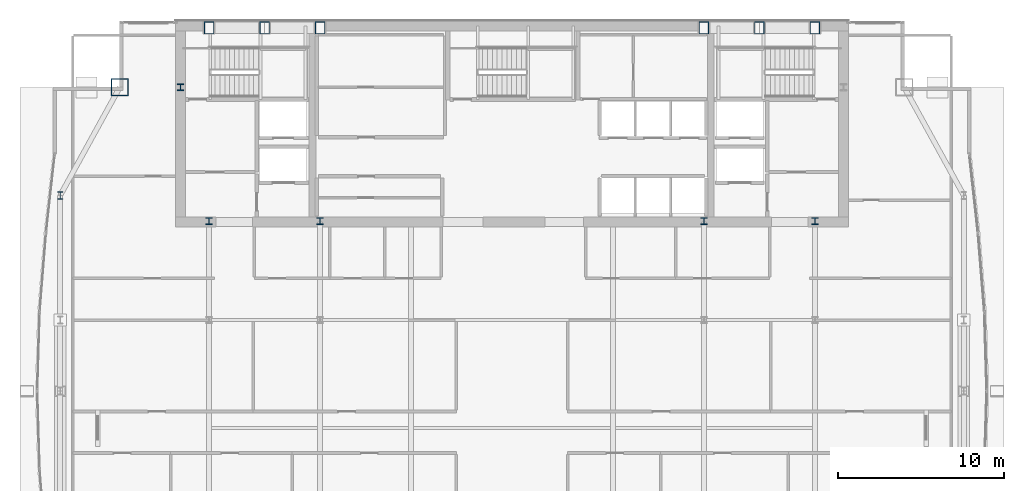
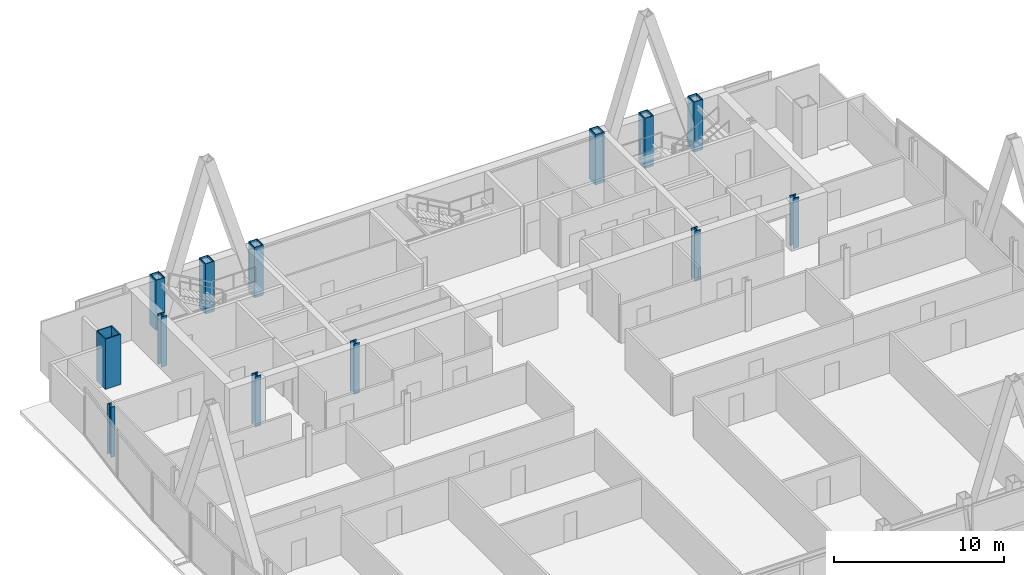
# One storey, part 3 of 30: 13 columns.
"""IFC4 building model written with IfcOpenShell, lengths in metres."""

from ifc_helpers import new_model, si_unit, direction, frame, origin, origin_2d, place, context, subcontext, project, spatial, hollow_rectangle, i_section, extrude, material, material_profile, profile_set, type_object, element, save


model = new_model("IFC4")

# Units and contexts
model_context = context("Model", 3, precision=1e-05, world=origin(), true_north=direction((0.0, 1.0)))
body_context = subcontext(model_context, "Body", "Model", "MODEL_VIEW")
ifc_project = project(units=[si_unit("LENGTHUNIT", "METRE"), si_unit("AREAUNIT", "SQUARE_METRE"), si_unit("VOLUMEUNIT", "CUBIC_METRE"), si_unit("PLANEANGLEUNIT", "RADIAN"), si_unit("MASSUNIT", "GRAM", prefix="KILO")], contexts=[model_context])

# Site, building, storey
site_placement = place(None, origin())
site = spatial("IfcSite", under=ifc_project, at=site_placement, CompositionType="ELEMENT")
building_placement = place(site_placement, origin())
building = spatial("IfcBuilding", under=site, at=building_placement, Name="Khoronbel Lancet Exchange", CompositionType="ELEMENT")
storey_placement = place(building_placement, frame((0.0, 0.0, 239.0)))
storey = spatial("IfcBuildingStorey", under=building, at=storey_placement, Name="L61", CompositionType="ELEMENT", Elevation=239.0)

# Columns
ifc_material_1 = material(Name="Steel S460", Category="steel")
ifc_material_profile_1 = material_profile(ifc_material_1, hollow_rectangle(XDim=0.60009765625, YDim=0.75, WallThickness=0.044921875, at=origin_2d()), Name="BOX 750x600x45")
ifc_profile_set_1 = profile_set([ifc_material_profile_1], Name="Steel S460")
column_type_1 = type_object("IfcColumnType", Name="COL-EC3", PredefinedType="COLUMN", material=ifc_profile_set_1)
for number, where, z_axis, x_axis, name in (
    (1, (18.22509765625, 53.280029296875, 0.0), (0.0, 0.0, 1.0), (1.0, 0.0, 0.0), "Structural column NC-W1 L61"),
    (2, (21.5625, 53.280029296875, 0.0), (0.0, 0.0, 1.0), (1.0, 0.0, 0.0), "Structural column NC-WM L61"),
    (3, (24.89990234375, 53.280029296875, 0.0), (0.0, 0.0, 1.0), (1.0, 0.0, 0.0), "Structural column NC-W2 L61"),
    (4, (48.0, 53.280029296875, 0.0), (0.0, 0.0, 1.0), (1.0, 0.0, 0.0), "Structural column NC-E1 L61"),
    (5, (51.33740234375, 53.280029296875, 0.0), (0.0, 0.0, 1.0), (1.0, 0.0, 0.0), "Structural column NC-EM L61"),
    (6, (54.675048828125, 53.280029296875, 0.0), (0.0, 0.0, 1.0), (1.0, 0.0, 0.0), "Structural column NC-E2 L61"),
):
    element("IfcColumn", number, at=place(storey_placement, frame(where, z_axis=z_axis, x_axis=x_axis)), inside=storey, type_object=column_type_1, Name=name, PredefinedType="COLUMN", context=body_context, shape_type="SweptSolid", body=[
        extrude(hollow_rectangle(XDim=0.60009765625, YDim=0.75, WallThickness=0.044921875, at=origin_2d()), origin(), (0.0, 0.0, 1.0), 3.60009765625),
    ])
ifc_material_2 = material(Name="Steel S355", Category="steel")
ifc_material_profile_2 = material_profile(ifc_material_2, i_section(OverallWidth=0.406005859375, OverallDepth=0.416015625, WebThickness=0.02978515625, FlangeThickness=0.048095703125, at=origin_2d()), Name="HD 400x382")
ifc_profile_set_2 = profile_set([ifc_material_profile_2], Name="Steel S355")
column_type_2 = type_object("IfcColumnType", Name="COL-IC3", PredefinedType="COLUMN", material=ifc_profile_set_2)
for number, where, z_axis, x_axis, name in (
    (7, (16.5, 49.699951171875, 0.0), (0.0, 0.0, 1.0), (1.0, 0.0, 0.0), "Core-flank plumb transfer column CFW L61"),
    (8, (18.22509765625, 41.64990234375, 0.0), (0.0, 0.0, 1.0), (1.0, 0.0, 0.0), "Core-embedded steel column CTC1 L61"),
    (9, (24.89990234375, 41.64990234375, 0.0), (0.0, 0.0, 1.0), (1.0, 0.0, 0.0), "Core-embedded steel column CTC2 L61"),
    (10, (48.0, 41.64990234375, 0.0), (0.0, 0.0, 1.0), (1.0, 0.0, 0.0), "Core-embedded steel column CTC3 L61"),
    (11, (54.675048828125, 41.64990234375, 0.0), (0.0, 0.0, 1.0), (1.0, 0.0, 0.0), "Core-embedded steel column CTC4 L61"),
):
    element("IfcColumn", number, at=place(storey_placement, frame(where, z_axis=z_axis, x_axis=x_axis)), inside=storey, type_object=column_type_2, Name=name, PredefinedType="COLUMN", context=body_context, shape_type="SweptSolid", body=[
        extrude(i_section(OverallWidth=0.406005859375, OverallDepth=0.416015625, WebThickness=0.02978515625, FlangeThickness=0.048095703125, at=origin_2d()), origin(), (0.0, 0.0, 1.0), 3.60009765625),
    ])
ifc_material_profile_3 = material_profile(ifc_material_2, i_section(OverallWidth=0.300048828125, OverallDepth=0.449951171875, WebThickness=0.013916015625, FlangeThickness=0.02587890625, at=origin_2d()), Name="HEB 450")
ifc_profile_set_3 = profile_set([ifc_material_profile_3], Name="Steel S355")
column_type_3 = type_object("IfcColumnType", Name="COL-LC2", PredefinedType="COLUMN", material=ifc_profile_set_3)
column_1_placement = place(storey_placement, frame((9.27001953125, 43.199951171875, 0.0), z_axis=(0.0, 0.0, 1.0), x_axis=(1.0, 0.0, 0.0)))
element("IfcColumn", 12, at=column_1_placement, inside=storey, type_object=column_type_3, Name="Structural column WC-4 L61", PredefinedType="COLUMN", context=body_context, shape_type="SweptSolid", body=[
    extrude(i_section(OverallWidth=0.300048828125, OverallDepth=0.449951171875, WebThickness=0.013916015625, FlangeThickness=0.02587890625, at=origin_2d()), origin(), (0.0, 0.0, 1.0), 3.60009765625),
])
ifc_material_profile_4 = material_profile(ifc_material_1, hollow_rectangle(XDim=1.050048828125, YDim=1.050048828125, WallThickness=0.054931640625, at=origin_2d()), Name="BOX 1050x1050x55")
ifc_profile_set_4 = profile_set([ifc_material_profile_4], Name="Steel S460")
column_type_4 = type_object("IfcColumnType", Name="COL-MC6", PredefinedType="COLUMN", material=ifc_profile_set_4)
column_2_placement = place(storey_placement, frame((12.85009765625, 49.699951171875, 0.0), z_axis=(0.0, 0.0, 1.0), x_axis=(1.0, 0.0, 0.0)))
element("IfcColumn", 13, at=column_2_placement, inside=storey, type_object=column_type_4, Name="Structural column MC-NW L61", PredefinedType="COLUMN", context=body_context, shape_type="SweptSolid", body=[
    extrude(hollow_rectangle(XDim=1.050048828125, YDim=1.050048828125, WallThickness=0.054931640625, at=origin_2d()), origin(), (0.0, 0.0, 1.0), 3.60009765625),
])

save(model, "model.ifc")
